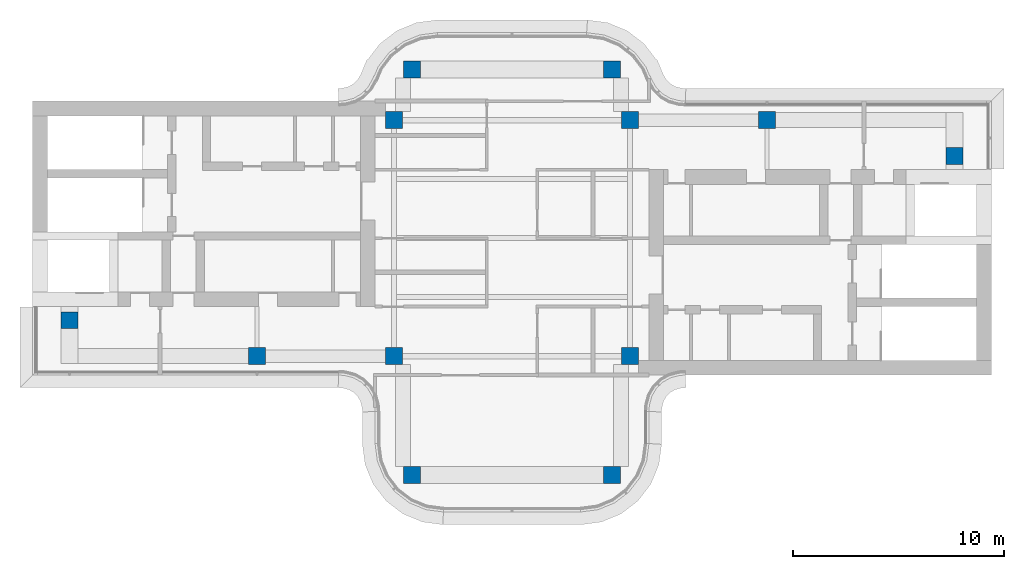
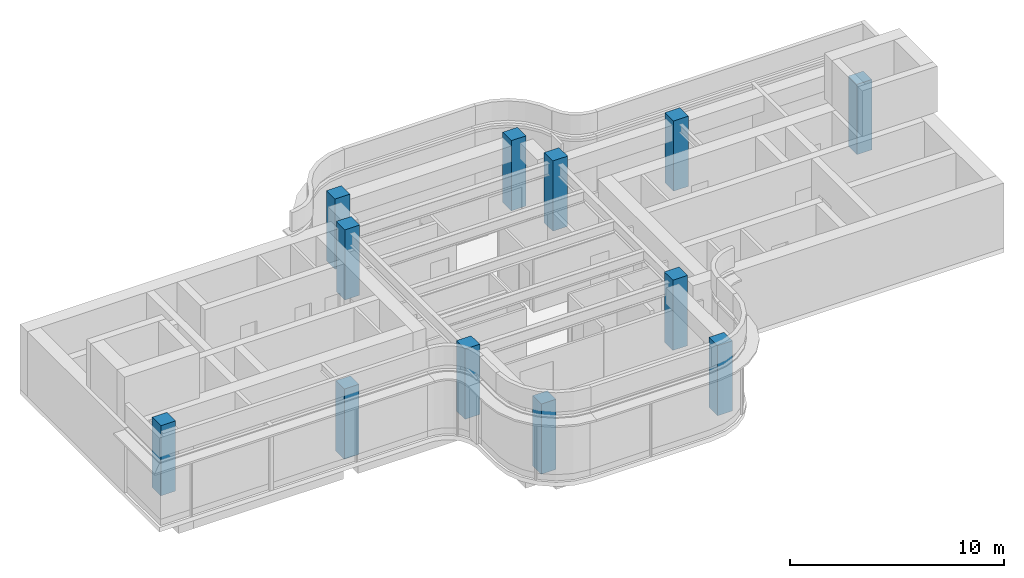
# One storey, part 1 of 9: 12 columns.
"""IFC4 building model written with IfcOpenShell, lengths in metres."""

from ifc_helpers import new_model, si_unit, direction, frame, origin, origin_2d, place, context, subcontext, project, spatial, rectangle, extrude, source, transform, mapped, material, material_profile, profile_set, type_object, element, save


model = new_model("IFC4")

# Units and contexts
model_context = context("Model", 3, precision=1e-05, world=origin(), true_north=direction((0.0, 1.0)))
body_context = subcontext(model_context, "Body", "Model", "MODEL_VIEW")
ifc_project = project(units=[si_unit("LENGTHUNIT", "METRE"), si_unit("AREAUNIT", "SQUARE_METRE"), si_unit("VOLUMEUNIT", "CUBIC_METRE"), si_unit("PLANEANGLEUNIT", "RADIAN"), si_unit("MASSUNIT", "GRAM", prefix="KILO")], contexts=[model_context])

# Site, building, storey
site_placement = place(None, origin())
site = spatial("IfcSite", under=ifc_project, at=site_placement, CompositionType="ELEMENT")
building_placement = place(site_placement, origin())
building = spatial("IfcBuilding", under=site, at=building_placement, Name="Trellis Farm Tower", CompositionType="ELEMENT")
storey_placement = place(building_placement, frame((0.0, 0.0, 358.10009765625)))
storey = spatial("IfcBuildingStorey", under=building, at=storey_placement, Name="L81", CompositionType="ELEMENT", Elevation=358.10009765625)

# Columns
ifc_material = material(Name="Concrete C50/60", Category="concrete")
ifc_material_profile = material_profile(ifc_material, rectangle(XDim=0.800048828125, YDim=0.800048828125, at=origin_2d()), Name="RC column 800x800 C50/60")
ifc_profile_set = profile_set([ifc_material_profile], Name="Concrete C50/60")
column_type = type_object("IfcColumnType", Name="RC column 800x800 C50/60", PredefinedType="COLUMN", material=ifc_profile_set)
shared_shape = source(origin(), body_context, "Body", "SweptSolid", [
    extrude(rectangle(XDim=0.800048828125, YDim=0.800048828125, at=origin_2d()), origin(), (0.0, 0.0, 1.0), 4.0),
])
for number, where, z_axis, x_axis, name in (
    (1, (12.10009765625, 5.60009765625, 0.0), (0.0, 0.0, 1.0), (1.0, 0.0, 0.0), "Column"),
    (2, (21.0, 3.89990234375, 0.0), (0.0, 0.0, 1.0), (1.0, 0.0, 0.0), "Column"),
    (3, (-4.75, 8.0, 0.0), (0.0, 0.0, 1.0), (1.0, 0.0, 0.0), "Column"),
    (4, (4.75, 8.0, 0.0), (0.0, 0.0, 1.0), (1.0, 0.0, 0.0), "Column"),
    (5, (5.60009765625, 5.60009765625, 0.0), (0.0, 0.0, 1.0), (1.0, 0.0, 0.0), "Column"),
    (6, (-5.60009765625, 5.60009765625, 0.0), (0.0, 0.0, 1.0), (1.0, 0.0, 0.0), "Column"),
    (7, (5.60009765625, -5.60009765625, 0.0), (0.0, 0.0, 1.0), (1.0, 0.0, 0.0), "Column"),
    (8, (-5.60009765625, -5.60009765625, 0.0), (0.0, 0.0, 1.0), (1.0, 0.0, 0.0), "Column"),
    (9, (4.75, -11.25, 0.0), (0.0, 0.0, 1.0), (1.0, 0.0, 0.0), "Column"),
    (10, (-4.75, -11.25, 0.0), (0.0, 0.0, 1.0), (1.0, 0.0, 0.0), "Column"),
    (11, (-12.10009765625, -5.60009765625, 0.0), (0.0, 0.0, 1.0), (1.0, 0.0, 0.0), "Column"),
    (12, (-21.0, -3.89990234375, 0.0), (0.0, 0.0, 1.0), (1.0, 0.0, 0.0), "Column"),
):
    element("IfcColumn", number, at=place(storey_placement, frame(where, z_axis=z_axis, x_axis=x_axis)), inside=storey, type_object=column_type, Name=name, PredefinedType="COLUMN", context=body_context, shape_type="MappedRepresentation", body=[
        mapped(shared_shape, transform((0.0, 0.0, 0.0))),
    ])

save(model, "model.ifc")
